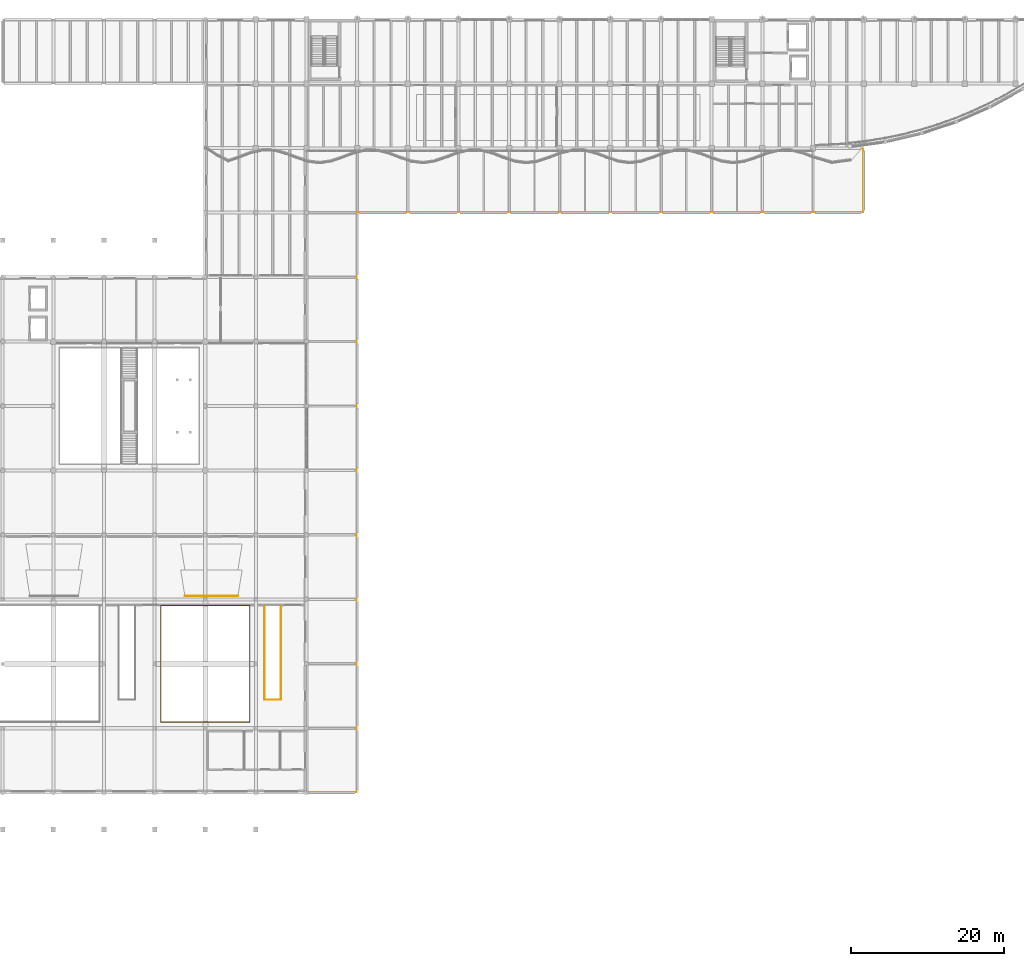
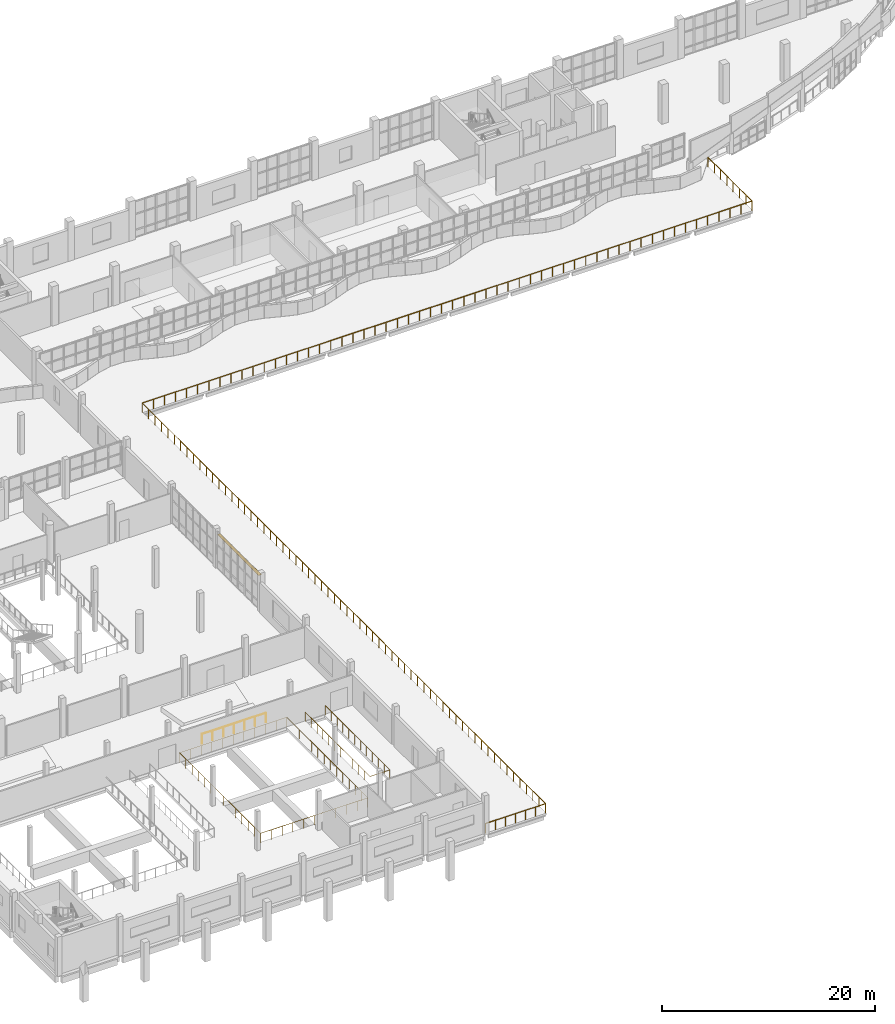
# One storey, part 71 of 83: 4 railings, 1 shading device.
"""IFC4 building model written with IfcOpenShell, lengths in metres."""

from ifc_helpers import new_model, si_unit, direction, frame, origin, origin_2d, place, context, subcontext, project, spatial, rectangle, circle, extrude, material, layer, layer_set, type_object, element, save


model = new_model("IFC4")

# Units and contexts
model_context = context("Model", 3, precision=1e-05, world=origin(), true_north=direction((0.0, 1.0)))
body_context = subcontext(model_context, "Body", "Model", "MODEL_VIEW")
ifc_project = project(units=[si_unit("LENGTHUNIT", "METRE"), si_unit("AREAUNIT", "SQUARE_METRE"), si_unit("VOLUMEUNIT", "CUBIC_METRE"), si_unit("PLANEANGLEUNIT", "RADIAN"), si_unit("MASSUNIT", "GRAM", prefix="KILO")], contexts=[model_context])

# Site, building, storey
site_placement = place(None, origin())
site = spatial("IfcSite", under=ifc_project, at=site_placement, CompositionType="ELEMENT")
building_placement = place(site_placement, origin())
building = spatial("IfcBuilding", under=site, at=building_placement, Name="Qaldarim Faculty of Natural and Applied Sciences", CompositionType="ELEMENT")
storey_placement = place(building_placement, frame((0.0, 0.0, 5.39990234375)))
storey = spatial("IfcBuildingStorey", under=building, at=storey_placement, Name="L01", CompositionType="ELEMENT", Elevation=5.39990234375)

# Railings
ifc_material_1 = material(Name="Architectural stainless steel 316", Category="steel")
railing_type_1 = type_object("IfcRailingType", Name="ExteriorGuardBalustrade-1100", PredefinedType="BALUSTRADE", material=ifc_material_1)
railing_1_placement = place(storey_placement, frame((46.25, 16.85009765625, 0.0)))
element("IfcRailing", 1, at=railing_1_placement, inside=storey, type_object=railing_type_1, Name="Safety guard balustrade GRD-COLONNADE-L01-WN", PredefinedType="BALUSTRADE", context=body_context, shape_type="SweptSolid", body=[
    extrude(circle(Radius=0.02392578125, at=origin_2d()), frame((0.00390625, 0.0, 1.076171875), z_axis=(1.0, 0.0, 0.0), x_axis=(0.0, 1.0, 0.0)), (0.0, 0.0, 1.0), 6.491943359375),
    extrude(circle(Radius=0.02392578125, at=origin_2d()), frame((6.5, 0.00390625, 1.076171875), z_axis=(0.0, 1.0, 0.0), x_axis=(-1.0, 0.0, 0.0)), (0.0, 0.0, 1.0), 75.591796875),
    extrude(circle(Radius=0.02392578125, at=origin_2d()), frame((6.50390625, 75.599853515625, 1.076171875), z_axis=(1.0, 0.0, 0.0), x_axis=(0.0, 1.0, 0.0)), (0.0, 0.0, 1.0), 65.991943359375),
    extrude(circle(Radius=0.02392578125, at=origin_2d()), frame((72.5, 75.603759765625, 1.076171875), z_axis=(0.0, 1.0, 0.0), x_axis=(-1.0, 0.0, 0.0)), (0.0, 0.0, 1.0), 8.241943359375),
    extrude(circle(Radius=0.02099609375, at=origin_2d()), origin(), (0.0, 0.0, 1.0), 1.052001953125),
    extrude(circle(Radius=0.02099609375, at=origin_2d()), frame((1.083251953125, 0.0, 0.0)), (0.0, 0.0, 1.0), 1.052001953125),
    extrude(circle(Radius=0.02099609375, at=origin_2d()), frame((2.166748046875, 0.0, 0.0)), (0.0, 0.0, 1.0), 1.052001953125),
    extrude(circle(Radius=0.02099609375, at=origin_2d()), frame((3.25, 0.0, 0.0)), (0.0, 0.0, 1.0), 1.052001953125),
    extrude(circle(Radius=0.02099609375, at=origin_2d()), frame((4.333251953125, 0.0, 0.0)), (0.0, 0.0, 1.0), 1.052001953125),
    extrude(circle(Radius=0.02099609375, at=origin_2d()), frame((5.416748046875, 0.0, 0.0)), (0.0, 0.0, 1.0), 1.052001953125),
    extrude(circle(Radius=0.02099609375, at=origin_2d()), frame((6.5, 0.0, 0.0)), (0.0, 0.0, 1.0), 1.052001953125),
    extrude(circle(Radius=0.02099609375, at=origin_2d()), frame((6.5, 1.199951171875, 0.0)), (0.0, 0.0, 1.0), 1.052001953125),
    extrude(circle(Radius=0.02099609375, at=origin_2d()), frame((6.5, 2.39990234375, 0.0)), (0.0, 0.0, 1.0), 1.052001953125),
    extrude(circle(Radius=0.02099609375, at=origin_2d()), frame((6.5, 3.60009765625, 0.0)), (0.0, 0.0, 1.0), 1.052001953125),
    extrude(circle(Radius=0.02099609375, at=origin_2d()), frame((6.5, 4.800048828125, 0.0)), (0.0, 0.0, 1.0), 1.052001953125),
    extrude(circle(Radius=0.02099609375, at=origin_2d()), frame((6.5, 6.0, 0.0)), (0.0, 0.0, 1.0), 1.052001953125),
    extrude(circle(Radius=0.02099609375, at=origin_2d()), frame((6.5, 7.199951171875, 0.0)), (0.0, 0.0, 1.0), 1.052001953125),
    extrude(circle(Radius=0.02099609375, at=origin_2d()), frame((6.5, 8.39990234375, 0.0)), (0.0, 0.0, 1.0), 1.052001953125),
    extrude(circle(Radius=0.02099609375, at=origin_2d()), frame((6.5, 9.60009765625, 0.0)), (0.0, 0.0, 1.0), 1.052001953125),
    extrude(circle(Radius=0.02099609375, at=origin_2d()), frame((6.5, 10.800048828125, 0.0)), (0.0, 0.0, 1.0), 1.052001953125),
    extrude(circle(Radius=0.02099609375, at=origin_2d()), frame((6.5, 12.0, 0.0)), (0.0, 0.0, 1.0), 1.052001953125),
    extrude(circle(Radius=0.02099609375, at=origin_2d()), frame((6.5, 13.199951171875, 0.0)), (0.0, 0.0, 1.0), 1.052001953125),
    extrude(circle(Radius=0.02099609375, at=origin_2d()), frame((6.5, 14.39990234375, 0.0)), (0.0, 0.0, 1.0), 1.052001953125),
    extrude(circle(Radius=0.02099609375, at=origin_2d()), frame((6.5, 15.599853515625, 0.0)), (0.0, 0.0, 1.0), 1.052001953125),
    extrude(circle(Radius=0.02099609375, at=origin_2d()), frame((6.5, 16.800048828125, 0.0)), (0.0, 0.0, 1.0), 1.052001953125),
    extrude(circle(Radius=0.02099609375, at=origin_2d()), frame((6.5, 18.0, 0.0)), (0.0, 0.0, 1.0), 1.052001953125),
    extrude(circle(Radius=0.02099609375, at=origin_2d()), frame((6.5, 19.199951171875, 0.0)), (0.0, 0.0, 1.0), 1.052001953125),
    extrude(circle(Radius=0.02099609375, at=origin_2d()), frame((6.5, 20.39990234375, 0.0)), (0.0, 0.0, 1.0), 1.052001953125),
    extrude(circle(Radius=0.02099609375, at=origin_2d()), frame((6.5, 21.599853515625, 0.0)), (0.0, 0.0, 1.0), 1.052001953125),
    extrude(circle(Radius=0.02099609375, at=origin_2d()), frame((6.5, 22.800048828125, 0.0)), (0.0, 0.0, 1.0), 1.052001953125),
    extrude(circle(Radius=0.02099609375, at=origin_2d()), frame((6.5, 24.0, 0.0)), (0.0, 0.0, 1.0), 1.052001953125),
    extrude(circle(Radius=0.02099609375, at=origin_2d()), frame((6.5, 25.199951171875, 0.0)), (0.0, 0.0, 1.0), 1.052001953125),
    extrude(circle(Radius=0.02099609375, at=origin_2d()), frame((6.5, 26.39990234375, 0.0)), (0.0, 0.0, 1.0), 1.052001953125),
    extrude(circle(Radius=0.02099609375, at=origin_2d()), frame((6.5, 27.599853515625, 0.0)), (0.0, 0.0, 1.0), 1.052001953125),
    extrude(circle(Radius=0.02099609375, at=origin_2d()), frame((6.5, 28.800048828125, 0.0)), (0.0, 0.0, 1.0), 1.052001953125),
    extrude(circle(Radius=0.02099609375, at=origin_2d()), frame((6.5, 30.0, 0.0)), (0.0, 0.0, 1.0), 1.052001953125),
    extrude(circle(Radius=0.02099609375, at=origin_2d()), frame((6.5, 31.199951171875, 0.0)), (0.0, 0.0, 1.0), 1.052001953125),
    extrude(circle(Radius=0.02099609375, at=origin_2d()), frame((6.5, 32.39990234375, 0.0)), (0.0, 0.0, 1.0), 1.052001953125),
    extrude(circle(Radius=0.02099609375, at=origin_2d()), frame((6.5, 33.599853515625, 0.0)), (0.0, 0.0, 1.0), 1.052001953125),
    extrude(circle(Radius=0.02099609375, at=origin_2d()), frame((6.5, 34.800048828125, 0.0)), (0.0, 0.0, 1.0), 1.052001953125),
    extrude(circle(Radius=0.02099609375, at=origin_2d()), frame((6.5, 36.0, 0.0)), (0.0, 0.0, 1.0), 1.052001953125),
    extrude(circle(Radius=0.02099609375, at=origin_2d()), frame((6.5, 37.199951171875, 0.0)), (0.0, 0.0, 1.0), 1.052001953125),
    extrude(circle(Radius=0.02099609375, at=origin_2d()), frame((6.5, 38.39990234375, 0.0)), (0.0, 0.0, 1.0), 1.052001953125),
    extrude(circle(Radius=0.02099609375, at=origin_2d()), frame((6.5, 39.599853515625, 0.0)), (0.0, 0.0, 1.0), 1.052001953125),
    extrude(circle(Radius=0.02099609375, at=origin_2d()), frame((6.5, 40.7998046875, 0.0)), (0.0, 0.0, 1.0), 1.052001953125),
    extrude(circle(Radius=0.02099609375, at=origin_2d()), frame((6.5, 42.0, 0.0)), (0.0, 0.0, 1.0), 1.052001953125),
    extrude(circle(Radius=0.02099609375, at=origin_2d()), frame((6.5, 43.199951171875, 0.0)), (0.0, 0.0, 1.0), 1.052001953125),
    extrude(circle(Radius=0.02099609375, at=origin_2d()), frame((6.5, 44.39990234375, 0.0)), (0.0, 0.0, 1.0), 1.052001953125),
    extrude(circle(Radius=0.02099609375, at=origin_2d()), frame((6.5, 45.599853515625, 0.0)), (0.0, 0.0, 1.0), 1.052001953125),
    extrude(circle(Radius=0.02099609375, at=origin_2d()), frame((6.5, 46.7998046875, 0.0)), (0.0, 0.0, 1.0), 1.052001953125),
    extrude(circle(Radius=0.02099609375, at=origin_2d()), frame((6.5, 48.0, 0.0)), (0.0, 0.0, 1.0), 1.052001953125),
    extrude(circle(Radius=0.02099609375, at=origin_2d()), frame((6.5, 49.199951171875, 0.0)), (0.0, 0.0, 1.0), 1.052001953125),
    extrude(circle(Radius=0.02099609375, at=origin_2d()), frame((6.5, 50.39990234375, 0.0)), (0.0, 0.0, 1.0), 1.052001953125),
    extrude(circle(Radius=0.02099609375, at=origin_2d()), frame((6.5, 51.599853515625, 0.0)), (0.0, 0.0, 1.0), 1.052001953125),
    extrude(circle(Radius=0.02099609375, at=origin_2d()), frame((6.5, 52.7998046875, 0.0)), (0.0, 0.0, 1.0), 1.052001953125),
    extrude(circle(Radius=0.02099609375, at=origin_2d()), frame((6.5, 54.0, 0.0)), (0.0, 0.0, 1.0), 1.052001953125),
    extrude(circle(Radius=0.02099609375, at=origin_2d()), frame((6.5, 55.199951171875, 0.0)), (0.0, 0.0, 1.0), 1.052001953125),
    extrude(circle(Radius=0.02099609375, at=origin_2d()), frame((6.5, 56.39990234375, 0.0)), (0.0, 0.0, 1.0), 1.052001953125),
    extrude(circle(Radius=0.02099609375, at=origin_2d()), frame((6.5, 57.599853515625, 0.0)), (0.0, 0.0, 1.0), 1.052001953125),
    extrude(circle(Radius=0.02099609375, at=origin_2d()), frame((6.5, 58.7998046875, 0.0)), (0.0, 0.0, 1.0), 1.052001953125),
    extrude(circle(Radius=0.02099609375, at=origin_2d()), frame((6.5, 60.0, 0.0)), (0.0, 0.0, 1.0), 1.052001953125),
    extrude(circle(Radius=0.02099609375, at=origin_2d()), frame((6.5, 61.199951171875, 0.0)), (0.0, 0.0, 1.0), 1.052001953125),
    extrude(circle(Radius=0.02099609375, at=origin_2d()), frame((6.5, 62.39990234375, 0.0)), (0.0, 0.0, 1.0), 1.052001953125),
    extrude(circle(Radius=0.02099609375, at=origin_2d()), frame((6.5, 63.599853515625, 0.0)), (0.0, 0.0, 1.0), 1.052001953125),
    extrude(circle(Radius=0.02099609375, at=origin_2d()), frame((6.5, 64.7998046875, 0.0)), (0.0, 0.0, 1.0), 1.052001953125),
    extrude(circle(Radius=0.02099609375, at=origin_2d()), frame((6.5, 65.999755859375, 0.0)), (0.0, 0.0, 1.0), 1.052001953125),
    extrude(circle(Radius=0.02099609375, at=origin_2d()), frame((6.5, 67.199951171875, 0.0)), (0.0, 0.0, 1.0), 1.052001953125),
    extrude(circle(Radius=0.02099609375, at=origin_2d()), frame((6.5, 68.39990234375, 0.0)), (0.0, 0.0, 1.0), 1.052001953125),
    extrude(circle(Radius=0.02099609375, at=origin_2d()), frame((6.5, 69.599853515625, 0.0)), (0.0, 0.0, 1.0), 1.052001953125),
    extrude(circle(Radius=0.02099609375, at=origin_2d()), frame((6.5, 70.7998046875, 0.0)), (0.0, 0.0, 1.0), 1.052001953125),
    extrude(circle(Radius=0.02099609375, at=origin_2d()), frame((6.5, 71.999755859375, 0.0)), (0.0, 0.0, 1.0), 1.052001953125),
    extrude(circle(Radius=0.02099609375, at=origin_2d()), frame((6.5, 73.199951171875, 0.0)), (0.0, 0.0, 1.0), 1.052001953125),
    extrude(circle(Radius=0.02099609375, at=origin_2d()), frame((6.5, 74.39990234375, 0.0)), (0.0, 0.0, 1.0), 1.052001953125),
    extrude(circle(Radius=0.02099609375, at=origin_2d()), frame((6.5, 75.599853515625, 0.0)), (0.0, 0.0, 1.0), 1.052001953125),
    extrude(circle(Radius=0.02099609375, at=origin_2d()), frame((7.699951171875, 75.599853515625, 0.0)), (0.0, 0.0, 1.0), 1.052001953125),
    extrude(circle(Radius=0.02099609375, at=origin_2d()), frame((8.89990234375, 75.599853515625, 0.0)), (0.0, 0.0, 1.0), 1.052001953125),
    extrude(circle(Radius=0.02099609375, at=origin_2d()), frame((10.10009765625, 75.599853515625, 0.0)), (0.0, 0.0, 1.0), 1.052001953125),
    extrude(circle(Radius=0.02099609375, at=origin_2d()), frame((11.300048828125, 75.599853515625, 0.0)), (0.0, 0.0, 1.0), 1.052001953125),
    extrude(circle(Radius=0.02099609375, at=origin_2d()), frame((12.5, 75.599853515625, 0.0)), (0.0, 0.0, 1.0), 1.052001953125),
    extrude(circle(Radius=0.02099609375, at=origin_2d()), frame((13.699951171875, 75.599853515625, 0.0)), (0.0, 0.0, 1.0), 1.052001953125),
    extrude(circle(Radius=0.02099609375, at=origin_2d()), frame((14.89990234375, 75.599853515625, 0.0)), (0.0, 0.0, 1.0), 1.052001953125),
    extrude(circle(Radius=0.02099609375, at=origin_2d()), frame((16.10009765625, 75.599853515625, 0.0)), (0.0, 0.0, 1.0), 1.052001953125),
    extrude(circle(Radius=0.02099609375, at=origin_2d()), frame((17.300048828125, 75.599853515625, 0.0)), (0.0, 0.0, 1.0), 1.052001953125),
    extrude(circle(Radius=0.02099609375, at=origin_2d()), frame((18.5, 75.599853515625, 0.0)), (0.0, 0.0, 1.0), 1.052001953125),
    extrude(circle(Radius=0.02099609375, at=origin_2d()), frame((19.699951171875, 75.599853515625, 0.0)), (0.0, 0.0, 1.0), 1.052001953125),
    extrude(circle(Radius=0.02099609375, at=origin_2d()), frame((20.89990234375, 75.599853515625, 0.0)), (0.0, 0.0, 1.0), 1.052001953125),
    extrude(circle(Radius=0.02099609375, at=origin_2d()), frame((22.10009765625, 75.599853515625, 0.0)), (0.0, 0.0, 1.0), 1.052001953125),
    extrude(circle(Radius=0.02099609375, at=origin_2d()), frame((23.300048828125, 75.599853515625, 0.0)), (0.0, 0.0, 1.0), 1.052001953125),
    extrude(circle(Radius=0.02099609375, at=origin_2d()), frame((24.5, 75.599853515625, 0.0)), (0.0, 0.0, 1.0), 1.052001953125),
    extrude(circle(Radius=0.02099609375, at=origin_2d()), frame((25.699951171875, 75.599853515625, 0.0)), (0.0, 0.0, 1.0), 1.052001953125),
    extrude(circle(Radius=0.02099609375, at=origin_2d()), frame((26.89990234375, 75.599853515625, 0.0)), (0.0, 0.0, 1.0), 1.052001953125),
    extrude(circle(Radius=0.02099609375, at=origin_2d()), frame((28.10009765625, 75.599853515625, 0.0)), (0.0, 0.0, 1.0), 1.052001953125),
    extrude(circle(Radius=0.02099609375, at=origin_2d()), frame((29.300048828125, 75.599853515625, 0.0)), (0.0, 0.0, 1.0), 1.052001953125),
    extrude(circle(Radius=0.02099609375, at=origin_2d()), frame((30.5, 75.599853515625, 0.0)), (0.0, 0.0, 1.0), 1.052001953125),
    extrude(circle(Radius=0.02099609375, at=origin_2d()), frame((31.699951171875, 75.599853515625, 0.0)), (0.0, 0.0, 1.0), 1.052001953125),
    extrude(circle(Radius=0.02099609375, at=origin_2d()), frame((32.89990234375, 75.599853515625, 0.0)), (0.0, 0.0, 1.0), 1.052001953125),
    extrude(circle(Radius=0.02099609375, at=origin_2d()), frame((34.10009765625, 75.599853515625, 0.0)), (0.0, 0.0, 1.0), 1.052001953125),
    extrude(circle(Radius=0.02099609375, at=origin_2d()), frame((35.300048828125, 75.599853515625, 0.0)), (0.0, 0.0, 1.0), 1.052001953125),
    extrude(circle(Radius=0.02099609375, at=origin_2d()), frame((36.5, 75.599853515625, 0.0)), (0.0, 0.0, 1.0), 1.052001953125),
    extrude(circle(Radius=0.02099609375, at=origin_2d()), frame((37.699951171875, 75.599853515625, 0.0)), (0.0, 0.0, 1.0), 1.052001953125),
    extrude(circle(Radius=0.02099609375, at=origin_2d()), frame((38.89990234375, 75.599853515625, 0.0)), (0.0, 0.0, 1.0), 1.052001953125),
    extrude(circle(Radius=0.02099609375, at=origin_2d()), frame((40.10009765625, 75.599853515625, 0.0)), (0.0, 0.0, 1.0), 1.052001953125),
    extrude(circle(Radius=0.02099609375, at=origin_2d()), frame((41.300048828125, 75.599853515625, 0.0)), (0.0, 0.0, 1.0), 1.052001953125),
    extrude(circle(Radius=0.02099609375, at=origin_2d()), frame((42.5, 75.599853515625, 0.0)), (0.0, 0.0, 1.0), 1.052001953125),
    extrude(circle(Radius=0.02099609375, at=origin_2d()), frame((43.699951171875, 75.599853515625, 0.0)), (0.0, 0.0, 1.0), 1.052001953125),
    extrude(circle(Radius=0.02099609375, at=origin_2d()), frame((44.89990234375, 75.599853515625, 0.0)), (0.0, 0.0, 1.0), 1.052001953125),
    extrude(circle(Radius=0.02099609375, at=origin_2d()), frame((46.10009765625, 75.599853515625, 0.0)), (0.0, 0.0, 1.0), 1.052001953125),
    extrude(circle(Radius=0.02099609375, at=origin_2d()), frame((47.300048828125, 75.599853515625, 0.0)), (0.0, 0.0, 1.0), 1.052001953125),
    extrude(circle(Radius=0.02099609375, at=origin_2d()), frame((48.5, 75.599853515625, 0.0)), (0.0, 0.0, 1.0), 1.052001953125),
    extrude(circle(Radius=0.02099609375, at=origin_2d()), frame((49.699951171875, 75.599853515625, 0.0)), (0.0, 0.0, 1.0), 1.052001953125),
    extrude(circle(Radius=0.02099609375, at=origin_2d()), frame((50.89990234375, 75.599853515625, 0.0)), (0.0, 0.0, 1.0), 1.052001953125),
    extrude(circle(Radius=0.02099609375, at=origin_2d()), frame((52.10009765625, 75.599853515625, 0.0)), (0.0, 0.0, 1.0), 1.052001953125),
    extrude(circle(Radius=0.02099609375, at=origin_2d()), frame((53.300048828125, 75.599853515625, 0.0)), (0.0, 0.0, 1.0), 1.052001953125),
    extrude(circle(Radius=0.02099609375, at=origin_2d()), frame((54.5, 75.599853515625, 0.0)), (0.0, 0.0, 1.0), 1.052001953125),
    extrude(circle(Radius=0.02099609375, at=origin_2d()), frame((55.699951171875, 75.599853515625, 0.0)), (0.0, 0.0, 1.0), 1.052001953125),
    extrude(circle(Radius=0.02099609375, at=origin_2d()), frame((56.89990234375, 75.599853515625, 0.0)), (0.0, 0.0, 1.0), 1.052001953125),
    extrude(circle(Radius=0.02099609375, at=origin_2d()), frame((58.10009765625, 75.599853515625, 0.0)), (0.0, 0.0, 1.0), 1.052001953125),
    extrude(circle(Radius=0.02099609375, at=origin_2d()), frame((59.300048828125, 75.599853515625, 0.0)), (0.0, 0.0, 1.0), 1.052001953125),
    extrude(circle(Radius=0.02099609375, at=origin_2d()), frame((60.5, 75.599853515625, 0.0)), (0.0, 0.0, 1.0), 1.052001953125),
    extrude(circle(Radius=0.02099609375, at=origin_2d()), frame((61.699951171875, 75.599853515625, 0.0)), (0.0, 0.0, 1.0), 1.052001953125),
    extrude(circle(Radius=0.02099609375, at=origin_2d()), frame((62.89990234375, 75.599853515625, 0.0)), (0.0, 0.0, 1.0), 1.052001953125),
    extrude(circle(Radius=0.02099609375, at=origin_2d()), frame((64.10009765625, 75.599853515625, 0.0)), (0.0, 0.0, 1.0), 1.052001953125),
    extrude(circle(Radius=0.02099609375, at=origin_2d()), frame((65.300048828125, 75.599853515625, 0.0)), (0.0, 0.0, 1.0), 1.052001953125),
    extrude(circle(Radius=0.02099609375, at=origin_2d()), frame((66.5, 75.599853515625, 0.0)), (0.0, 0.0, 1.0), 1.052001953125),
    extrude(circle(Radius=0.02099609375, at=origin_2d()), frame((67.699951171875, 75.599853515625, 0.0)), (0.0, 0.0, 1.0), 1.052001953125),
    extrude(circle(Radius=0.02099609375, at=origin_2d()), frame((68.89990234375, 75.599853515625, 0.0)), (0.0, 0.0, 1.0), 1.052001953125),
    extrude(circle(Radius=0.02099609375, at=origin_2d()), frame((70.10009765625, 75.599853515625, 0.0)), (0.0, 0.0, 1.0), 1.052001953125),
    extrude(circle(Radius=0.02099609375, at=origin_2d()), frame((71.300048828125, 75.599853515625, 0.0)), (0.0, 0.0, 1.0), 1.052001953125),
    extrude(circle(Radius=0.02099609375, at=origin_2d()), frame((72.5, 75.599853515625, 0.0)), (0.0, 0.0, 1.0), 1.052001953125),
    extrude(circle(Radius=0.02099609375, at=origin_2d()), frame((72.5, 76.7783203125, 0.0)), (0.0, 0.0, 1.0), 1.052001953125),
    extrude(circle(Radius=0.02099609375, at=origin_2d()), frame((72.5, 77.95703125, 0.0)), (0.0, 0.0, 1.0), 1.052001953125),
    extrude(circle(Radius=0.02099609375, at=origin_2d()), frame((72.5, 79.135498046875, 0.0)), (0.0, 0.0, 1.0), 1.052001953125),
    extrude(circle(Radius=0.02099609375, at=origin_2d()), frame((72.5, 80.314208984375, 0.0)), (0.0, 0.0, 1.0), 1.052001953125),
    extrude(circle(Radius=0.02099609375, at=origin_2d()), frame((72.5, 81.49267578125, 0.0)), (0.0, 0.0, 1.0), 1.052001953125),
    extrude(circle(Radius=0.02099609375, at=origin_2d()), frame((72.5, 82.67138671875, 0.0)), (0.0, 0.0, 1.0), 1.052001953125),
    extrude(circle(Radius=0.02099609375, at=origin_2d()), frame((72.5, 83.849853515625, 0.0)), (0.0, 0.0, 1.0), 1.052001953125),
])
railing_type_2 = type_object("IfcRailingType", Name="GuardBalustrade-1100", PredefinedType="BALUSTRADE", material=ifc_material_1)
railing_2_placement = place(storey_placement, frame((27.199951171875, 41.199951171875, 0.0)))
element("IfcRailing", 2, at=railing_2_placement, inside=storey, type_object=railing_type_2, Name="Safety guard balustrade GRD-LEC-L01-2", PredefinedType="BALUSTRADE", context=body_context, shape_type="SweptSolid", body=[
    extrude(circle(Radius=0.02392578125, at=origin_2d()), frame((0.0, -0.00390625, 1.076171875), z_axis=(0.0, -1.0, 0.0), x_axis=(1.0, 0.0, 0.0)), (0.0, 0.0, 1.0), 15.19189453125),
    extrude(circle(Radius=0.02392578125, at=origin_2d()), frame((0.00390625, -15.199951171875, 1.076171875), z_axis=(1.0, 0.0, 0.0), x_axis=(0.0, 1.0, 0.0)), (0.0, 0.0, 1.0), 11.592041015625),
    extrude(circle(Radius=0.02392578125, at=origin_2d()), frame((11.60009765625, -15.196044921875, 1.076171875), z_axis=(0.0, 1.0, 0.0), x_axis=(-1.0, 0.0, 0.0)), (0.0, 0.0, 1.0), 15.19189453125),
    extrude(circle(Radius=0.02392578125, at=origin_2d()), frame((11.59619140625, 0.0, 1.076171875), z_axis=(-1.0, 0.0, 0.0), x_axis=(0.0, -1.0, 0.0)), (0.0, 0.0, 1.0), 11.592041015625),
    extrude(circle(Radius=0.02099609375, at=origin_2d()), origin(), (0.0, 0.0, 1.0), 1.052001953125),
    extrude(circle(Radius=0.02099609375, at=origin_2d()), frame((0.0, -1.169189453125, 0.0)), (0.0, 0.0, 1.0), 1.052001953125),
    extrude(circle(Radius=0.02099609375, at=origin_2d()), frame((0.0, -2.33837890625, 0.0)), (0.0, 0.0, 1.0), 1.052001953125),
    extrude(circle(Radius=0.02099609375, at=origin_2d()), frame((0.0, -3.507568359375, 0.0)), (0.0, 0.0, 1.0), 1.052001953125),
    extrude(circle(Radius=0.02099609375, at=origin_2d()), frame((0.0, -4.677001953125, 0.0)), (0.0, 0.0, 1.0), 1.052001953125),
    extrude(circle(Radius=0.02099609375, at=origin_2d()), frame((0.0, -5.84619140625, 0.0)), (0.0, 0.0, 1.0), 1.052001953125),
    extrude(circle(Radius=0.02099609375, at=origin_2d()), frame((0.0, -7.015380859375, 0.0)), (0.0, 0.0, 1.0), 1.052001953125),
    extrude(circle(Radius=0.02099609375, at=origin_2d()), frame((0.0, -8.1845703125, 0.0)), (0.0, 0.0, 1.0), 1.052001953125),
    extrude(circle(Radius=0.02099609375, at=origin_2d()), frame((0.0, -9.353759765625, 0.0)), (0.0, 0.0, 1.0), 1.052001953125),
    extrude(circle(Radius=0.02099609375, at=origin_2d()), frame((0.0, -10.52294921875, 0.0)), (0.0, 0.0, 1.0), 1.052001953125),
    extrude(circle(Radius=0.02099609375, at=origin_2d()), frame((0.0, -11.6923828125, 0.0)), (0.0, 0.0, 1.0), 1.052001953125),
    extrude(circle(Radius=0.02099609375, at=origin_2d()), frame((0.0, -12.861572265625, 0.0)), (0.0, 0.0, 1.0), 1.052001953125),
    extrude(circle(Radius=0.02099609375, at=origin_2d()), frame((0.0, -14.03076171875, 0.0)), (0.0, 0.0, 1.0), 1.052001953125),
    extrude(circle(Radius=0.02099609375, at=origin_2d()), frame((0.0, -15.199951171875, 0.0)), (0.0, 0.0, 1.0), 1.052001953125),
    extrude(circle(Radius=0.02099609375, at=origin_2d()), frame((1.159912109375, -15.199951171875, 0.0)), (0.0, 0.0, 1.0), 1.052001953125),
    extrude(circle(Radius=0.02099609375, at=origin_2d()), frame((2.320068359375, -15.199951171875, 0.0)), (0.0, 0.0, 1.0), 1.052001953125),
    extrude(circle(Radius=0.02099609375, at=origin_2d()), frame((3.47998046875, -15.199951171875, 0.0)), (0.0, 0.0, 1.0), 1.052001953125),
    extrude(circle(Radius=0.02099609375, at=origin_2d()), frame((4.64013671875, -15.199951171875, 0.0)), (0.0, 0.0, 1.0), 1.052001953125),
    extrude(circle(Radius=0.02099609375, at=origin_2d()), frame((5.800048828125, -15.199951171875, 0.0)), (0.0, 0.0, 1.0), 1.052001953125),
    extrude(circle(Radius=0.02099609375, at=origin_2d()), frame((6.9599609375, -15.199951171875, 0.0)), (0.0, 0.0, 1.0), 1.052001953125),
    extrude(circle(Radius=0.02099609375, at=origin_2d()), frame((8.1201171875, -15.199951171875, 0.0)), (0.0, 0.0, 1.0), 1.052001953125),
    extrude(circle(Radius=0.02099609375, at=origin_2d()), frame((9.280029296875, -15.199951171875, 0.0)), (0.0, 0.0, 1.0), 1.052001953125),
    extrude(circle(Radius=0.02099609375, at=origin_2d()), frame((10.440185546875, -15.199951171875, 0.0)), (0.0, 0.0, 1.0), 1.052001953125),
    extrude(circle(Radius=0.02099609375, at=origin_2d()), frame((11.60009765625, -15.199951171875, 0.0)), (0.0, 0.0, 1.0), 1.052001953125),
    extrude(circle(Radius=0.02099609375, at=origin_2d()), frame((11.60009765625, -14.03076171875, 0.0)), (0.0, 0.0, 1.0), 1.052001953125),
    extrude(circle(Radius=0.02099609375, at=origin_2d()), frame((11.60009765625, -12.861572265625, 0.0)), (0.0, 0.0, 1.0), 1.052001953125),
    extrude(circle(Radius=0.02099609375, at=origin_2d()), frame((11.60009765625, -11.6923828125, 0.0)), (0.0, 0.0, 1.0), 1.052001953125),
    extrude(circle(Radius=0.02099609375, at=origin_2d()), frame((11.60009765625, -10.52294921875, 0.0)), (0.0, 0.0, 1.0), 1.052001953125),
    extrude(circle(Radius=0.02099609375, at=origin_2d()), frame((11.60009765625, -9.353759765625, 0.0)), (0.0, 0.0, 1.0), 1.052001953125),
    extrude(circle(Radius=0.02099609375, at=origin_2d()), frame((11.60009765625, -8.1845703125, 0.0)), (0.0, 0.0, 1.0), 1.052001953125),
    extrude(circle(Radius=0.02099609375, at=origin_2d()), frame((11.60009765625, -7.015380859375, 0.0)), (0.0, 0.0, 1.0), 1.052001953125),
    extrude(circle(Radius=0.02099609375, at=origin_2d()), frame((11.60009765625, -5.84619140625, 0.0)), (0.0, 0.0, 1.0), 1.052001953125),
    extrude(circle(Radius=0.02099609375, at=origin_2d()), frame((11.60009765625, -4.677001953125, 0.0)), (0.0, 0.0, 1.0), 1.052001953125),
    extrude(circle(Radius=0.02099609375, at=origin_2d()), frame((11.60009765625, -3.507568359375, 0.0)), (0.0, 0.0, 1.0), 1.052001953125),
    extrude(circle(Radius=0.02099609375, at=origin_2d()), frame((11.60009765625, -2.33837890625, 0.0)), (0.0, 0.0, 1.0), 1.052001953125),
    extrude(circle(Radius=0.02099609375, at=origin_2d()), frame((11.60009765625, -1.169189453125, 0.0)), (0.0, 0.0, 1.0), 1.052001953125),
    extrude(circle(Radius=0.02099609375, at=origin_2d()), frame((11.60009765625, 0.0, 0.0)), (0.0, 0.0, 1.0), 1.052001953125),
    extrude(circle(Radius=0.02099609375, at=origin_2d()), frame((10.440185546875, 0.0, 0.0)), (0.0, 0.0, 1.0), 1.052001953125),
    extrude(circle(Radius=0.02099609375, at=origin_2d()), frame((9.280029296875, 0.0, 0.0)), (0.0, 0.0, 1.0), 1.052001953125),
    extrude(circle(Radius=0.02099609375, at=origin_2d()), frame((8.1201171875, 0.0, 0.0)), (0.0, 0.0, 1.0), 1.052001953125),
    extrude(circle(Radius=0.02099609375, at=origin_2d()), frame((6.9599609375, 0.0, 0.0)), (0.0, 0.0, 1.0), 1.052001953125),
    extrude(circle(Radius=0.02099609375, at=origin_2d()), frame((5.800048828125, 0.0, 0.0)), (0.0, 0.0, 1.0), 1.052001953125),
    extrude(circle(Radius=0.02099609375, at=origin_2d()), frame((4.64013671875, 0.0, 0.0)), (0.0, 0.0, 1.0), 1.052001953125),
    extrude(circle(Radius=0.02099609375, at=origin_2d()), frame((3.47998046875, 0.0, 0.0)), (0.0, 0.0, 1.0), 1.052001953125),
    extrude(circle(Radius=0.02099609375, at=origin_2d()), frame((2.320068359375, 0.0, 0.0)), (0.0, 0.0, 1.0), 1.052001953125),
    extrude(circle(Radius=0.02099609375, at=origin_2d()), frame((1.159912109375, 0.0, 0.0)), (0.0, 0.0, 1.0), 1.052001953125),
])
railing_3_placement = place(storey_placement, frame((40.719970703125, 41.050048828125, 0.0)))
element("IfcRailing", 3, at=railing_3_placement, inside=storey, type_object=railing_type_2, Name="Safety guard balustrade GRD-VOM-L01-2", PredefinedType="BALUSTRADE", context=body_context, shape_type="SweptSolid", body=[
    extrude(circle(Radius=0.02392578125, at=origin_2d()), frame((0.0, -0.00390625, 1.076171875), z_axis=(0.0, -1.0, 0.0), x_axis=(1.0, 0.0, 0.0)), (0.0, 0.0, 1.0), 12.1220703125),
    extrude(circle(Radius=0.02392578125, at=origin_2d()), frame((0.00390625, -12.130126953125, 1.076171875), z_axis=(1.0, 0.0, 0.0), x_axis=(0.0, 1.0, 0.0)), (0.0, 0.0, 1.0), 2.15185546875),
    extrude(circle(Radius=0.02392578125, at=origin_2d()), frame((2.159912109375, -12.126220703125, 1.076171875), z_axis=(0.0, 1.0, 0.0), x_axis=(-1.0, 0.0, 0.0)), (0.0, 0.0, 1.0), 12.1220703125),
    extrude(circle(Radius=0.02099609375, at=origin_2d()), origin(), (0.0, 0.0, 1.0), 1.052001953125),
    extrude(circle(Radius=0.02099609375, at=origin_2d()), frame((0.0, -1.102783203125, 0.0)), (0.0, 0.0, 1.0), 1.052001953125),
    extrude(circle(Radius=0.02099609375, at=origin_2d()), frame((0.0, -2.20556640625, 0.0)), (0.0, 0.0, 1.0), 1.052001953125),
    extrude(circle(Radius=0.02099609375, at=origin_2d()), frame((0.0, -3.30810546875, 0.0)), (0.0, 0.0, 1.0), 1.052001953125),
    extrude(circle(Radius=0.02099609375, at=origin_2d()), frame((0.0, -4.410888671875, 0.0)), (0.0, 0.0, 1.0), 1.052001953125),
    extrude(circle(Radius=0.02099609375, at=origin_2d()), frame((0.0, -5.513671875, 0.0)), (0.0, 0.0, 1.0), 1.052001953125),
    extrude(circle(Radius=0.02099609375, at=origin_2d()), frame((0.0, -6.616455078125, 0.0)), (0.0, 0.0, 1.0), 1.052001953125),
    extrude(circle(Radius=0.02099609375, at=origin_2d()), frame((0.0, -7.71923828125, 0.0)), (0.0, 0.0, 1.0), 1.052001953125),
    extrude(circle(Radius=0.02099609375, at=origin_2d()), frame((0.0, -8.822021484375, 0.0)), (0.0, 0.0, 1.0), 1.052001953125),
    extrude(circle(Radius=0.02099609375, at=origin_2d()), frame((0.0, -9.924560546875, 0.0)), (0.0, 0.0, 1.0), 1.052001953125),
    extrude(circle(Radius=0.02099609375, at=origin_2d()), frame((0.0, -11.02734375, 0.0)), (0.0, 0.0, 1.0), 1.052001953125),
    extrude(circle(Radius=0.02099609375, at=origin_2d()), frame((0.0, -12.130126953125, 0.0)), (0.0, 0.0, 1.0), 1.052001953125),
    extrude(circle(Radius=0.02099609375, at=origin_2d()), frame((1.080078125, -12.130126953125, 0.0)), (0.0, 0.0, 1.0), 1.052001953125),
    extrude(circle(Radius=0.02099609375, at=origin_2d()), frame((2.159912109375, -12.130126953125, 0.0)), (0.0, 0.0, 1.0), 1.052001953125),
    extrude(circle(Radius=0.02099609375, at=origin_2d()), frame((2.159912109375, -11.02734375, 0.0)), (0.0, 0.0, 1.0), 1.052001953125),
    extrude(circle(Radius=0.02099609375, at=origin_2d()), frame((2.159912109375, -9.924560546875, 0.0)), (0.0, 0.0, 1.0), 1.052001953125),
    extrude(circle(Radius=0.02099609375, at=origin_2d()), frame((2.159912109375, -8.822021484375, 0.0)), (0.0, 0.0, 1.0), 1.052001953125),
    extrude(circle(Radius=0.02099609375, at=origin_2d()), frame((2.159912109375, -7.71923828125, 0.0)), (0.0, 0.0, 1.0), 1.052001953125),
    extrude(circle(Radius=0.02099609375, at=origin_2d()), frame((2.159912109375, -6.616455078125, 0.0)), (0.0, 0.0, 1.0), 1.052001953125),
    extrude(circle(Radius=0.02099609375, at=origin_2d()), frame((2.159912109375, -5.513671875, 0.0)), (0.0, 0.0, 1.0), 1.052001953125),
    extrude(circle(Radius=0.02099609375, at=origin_2d()), frame((2.159912109375, -4.410888671875, 0.0)), (0.0, 0.0, 1.0), 1.052001953125),
    extrude(circle(Radius=0.02099609375, at=origin_2d()), frame((2.159912109375, -3.30810546875, 0.0)), (0.0, 0.0, 1.0), 1.052001953125),
    extrude(circle(Radius=0.02099609375, at=origin_2d()), frame((2.159912109375, -2.20556640625, 0.0)), (0.0, 0.0, 1.0), 1.052001953125),
    extrude(circle(Radius=0.02099609375, at=origin_2d()), frame((2.159912109375, -1.102783203125, 0.0)), (0.0, 0.0, 1.0), 1.052001953125),
    extrude(circle(Radius=0.02099609375, at=origin_2d()), frame((2.159912109375, 0.0, 0.0)), (0.0, 0.0, 1.0), 1.052001953125),
])
railing_4_placement = place(storey_placement, frame((30.35009765625, 42.449951171875, 0.280029296875)))
element("IfcRailing", 4, at=railing_4_placement, inside=storey, type_object=railing_type_2, Name="Safety guard balustrade GRD-TIER-L01-2", PredefinedType="BALUSTRADE", context=body_context, shape_type="SweptSolid", body=[
    extrude(circle(Radius=0.02392578125, at=origin_2d()), frame((0.0, 0.0, 1.076171875), z_axis=(1.0, 0.0, 0.0), x_axis=(0.0, 1.0, 0.0)), (0.0, 0.0, 1.0), 6.89990234375),
    extrude(circle(Radius=0.02099609375, at=origin_2d()), origin(), (0.0, 0.0, 1.0), 1.052001953125),
    extrude(circle(Radius=0.02099609375, at=origin_2d()), frame((1.14990234375, 0.0, 0.0)), (0.0, 0.0, 1.0), 1.052001953125),
    extrude(circle(Radius=0.02099609375, at=origin_2d()), frame((2.300048828125, 0.0, 0.0)), (0.0, 0.0, 1.0), 1.052001953125),
    extrude(circle(Radius=0.02099609375, at=origin_2d()), frame((3.449951171875, 0.0, 0.0)), (0.0, 0.0, 1.0), 1.052001953125),
    extrude(circle(Radius=0.02099609375, at=origin_2d()), frame((4.599853515625, 0.0, 0.0)), (0.0, 0.0, 1.0), 1.052001953125),
    extrude(circle(Radius=0.02099609375, at=origin_2d()), frame((5.75, 0.0, 0.0)), (0.0, 0.0, 1.0), 1.052001953125),
    extrude(circle(Radius=0.02099609375, at=origin_2d()), frame((6.89990234375, 0.0, 0.0)), (0.0, 0.0, 1.0), 1.052001953125),
])

# Shading device
ifc_material_2 = material(Name="Champagne anodised aluminium AW-6063", Category="aluminium")
ifc_layer = layer(ifc_material_2, 0.050048828125)
ifc_layer_set = layer_set([ifc_layer], Name="Champagne anodised aluminium AW-6063")
shading_device_type = type_object("IfcShadingDeviceType", Name="SolarLouvre-ALU300x50", PredefinedType="JALOUSIE", material=ifc_layer_set)
shading_device_placement = place(storey_placement, frame((46.27001953125, 63.0, 3.8251953125), z_axis=(0.0, 0.0, 1.0), x_axis=(0.0, 1.0, 0.0)))
element("IfcShadingDevice", 5, at=shading_device_placement, inside=storey, type_object=shading_device_type, Name="Horizontal solar louvre L01 E X07Y08", PredefinedType="JALOUSIE", context=body_context, shape_type="SweptSolid", body=[
    extrude(rectangle(XDim=7.7099609375, YDim=0.300048828125, at=origin_2d()), origin(), (0.0, 0.0, 1.0), 0.050048828125),
])

save(model, "model.ifc")
